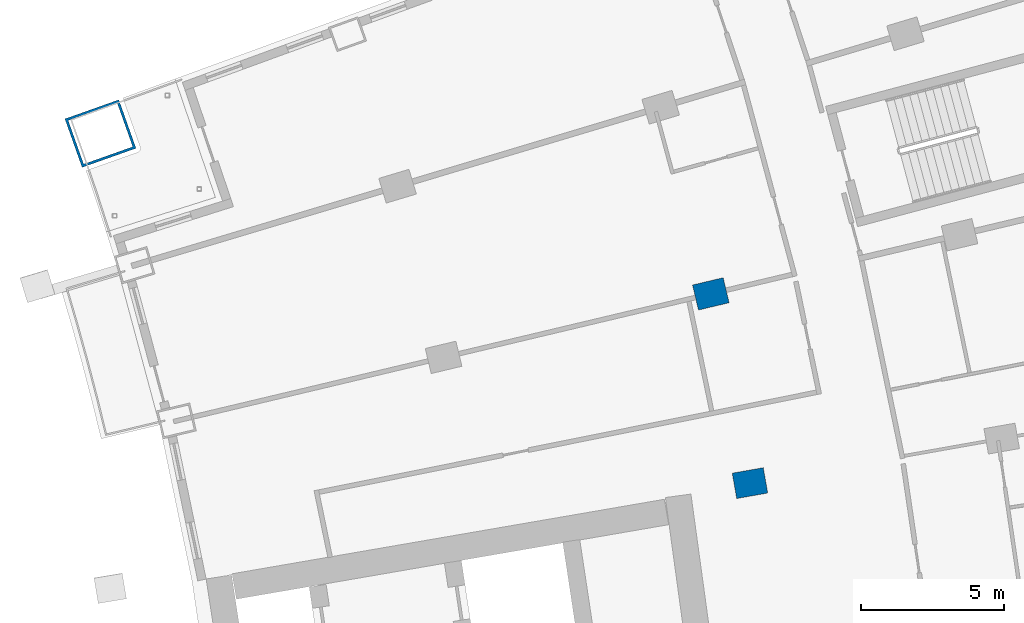
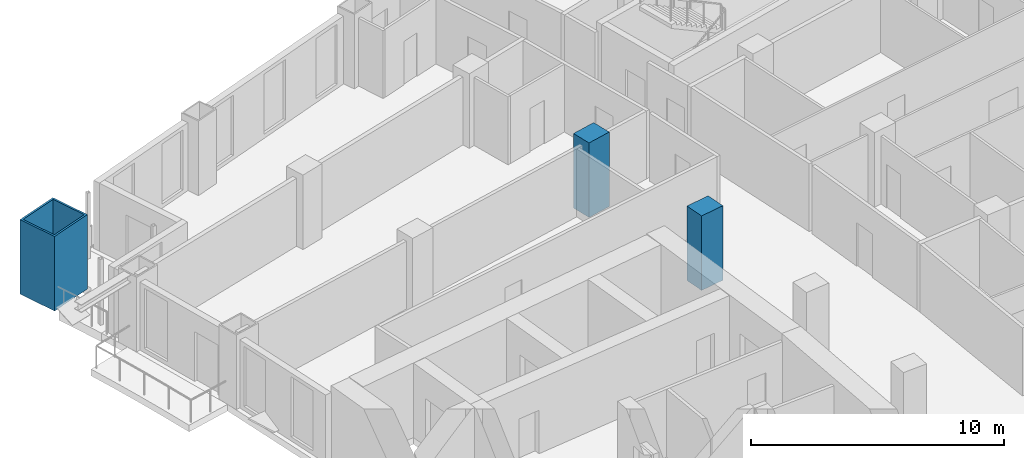
# One storey, part 8 of 25: 3 columns.
"""IFC4 building model written with IfcOpenShell, lengths in metres."""

from ifc_helpers import new_model, si_unit, direction, frame, origin, origin_2d, place, context, subcontext, project, spatial, rectangle, hollow_rectangle, extrude, material, material_profile, profile_set, type_object, element, save


model = new_model("IFC4")

# Units and contexts
model_context = context("Model", 3, precision=1e-05, world=origin(), true_north=direction((0.0, 1.0)))
body_context = subcontext(model_context, "Body", "Model", "MODEL_VIEW")
ifc_project = project(units=[si_unit("LENGTHUNIT", "METRE"), si_unit("AREAUNIT", "SQUARE_METRE"), si_unit("VOLUMEUNIT", "CUBIC_METRE"), si_unit("PLANEANGLEUNIT", "RADIAN"), si_unit("MASSUNIT", "GRAM", prefix="KILO")], contexts=[model_context])

# Site, building, storey
site_placement = place(None, origin())
site = spatial("IfcSite", under=ifc_project, at=site_placement, CompositionType="ELEMENT")
building_placement = place(site_placement, origin())
building = spatial("IfcBuilding", under=site, at=building_placement, Name="Alderwake Tower", CompositionType="ELEMENT")
storey_placement = place(building_placement, frame((0.0, 0.0, 60.800048828125)))
storey = spatial("IfcBuildingStorey", under=building, at=storey_placement, Name="L14", CompositionType="ELEMENT", Elevation=60.800048828125)

# Columns
ifc_material_1 = material(Name="Concrete C70/85", Category="concrete")
ifc_material_profile_1 = material_profile(ifc_material_1, rectangle(XDim=0.89990234375, YDim=1.10009765625, at=origin_2d()), Name="RC 1100X900")
ifc_profile_set_1 = profile_set([ifc_material_profile_1], Name="Concrete C70/85")
column_type_1 = type_object("IfcColumnType", Name="Interior column Z1", PredefinedType="COLUMN", material=ifc_profile_set_1)
for number, where, z_axis, x_axis, name in (
    (1, (34.03125, 81.16162109375, 0.0), (0.0, 0.0, 1.0), (-0.174108800747, 0.984726421654, 0.0), "Column R10-C2"),
    (2, (32.661865234375, 87.775390625, 0.0), (0.0, 0.0, 1.0), (-0.231221547198, 0.972901123502, 0.0), "Column R11-C2"),
):
    element("IfcColumn", number, at=place(storey_placement, frame(where, z_axis=z_axis, x_axis=x_axis)), inside=storey, type_object=column_type_1, Name=name, PredefinedType="COLUMN", context=body_context, shape_type="SweptSolid", body=[
        extrude(rectangle(XDim=0.89990234375, YDim=1.10009765625, at=origin_2d()), origin(), (0.0, 0.0, 1.0), 3.599853515625),
    ])
ifc_material_2 = material(Name="Steel ASTM A572 Grade 50 concrete filled C70/85", Category="concrete")
ifc_material_profile_2 = material_profile(ifc_material_2, hollow_rectangle(XDim=1.800048828125, YDim=2.0, WallThickness=0.090087890625, at=origin_2d()), Name="BOX 2000X1800X90")
ifc_profile_set_2 = profile_set([ifc_material_profile_2], Name="Steel ASTM A572 Grade 50 concrete filled C70/85")
column_type_2 = type_object("IfcColumnType", Name="Mega column Z1", PredefinedType="COLUMN", material=ifc_profile_set_2)
column_placement = place(storey_placement, frame((11.330810546875, 93.377197265625, 0.0), z_axis=(0.0, 0.0, 1.0), x_axis=(-0.334130947791, 0.942526662609, 0.0)))
element("IfcColumn", 3, at=column_placement, inside=storey, type_object=column_type_2, Name="Column R13-C0", PredefinedType="COLUMN", context=body_context, shape_type="SweptSolid", body=[
    extrude(hollow_rectangle(XDim=1.800048828125, YDim=2.0, WallThickness=0.090087890625, at=origin_2d()), origin(), (0.0, 0.0, 1.0), 3.599853515625),
])

save(model, "model.ifc")
